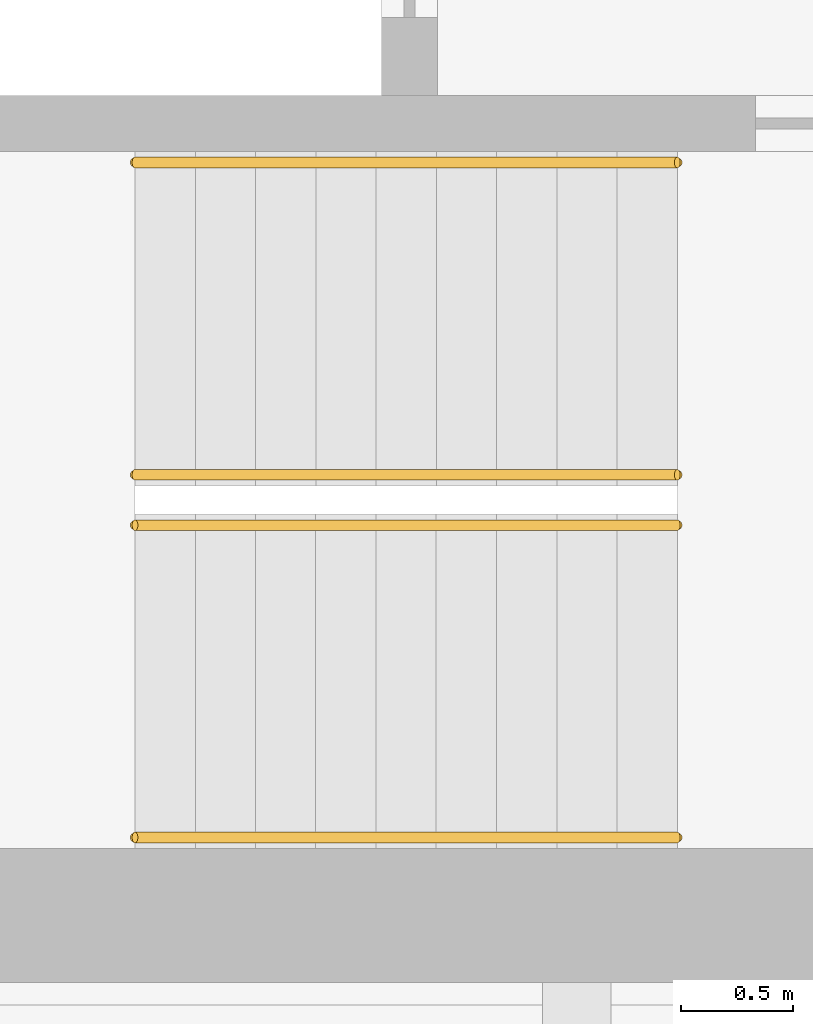
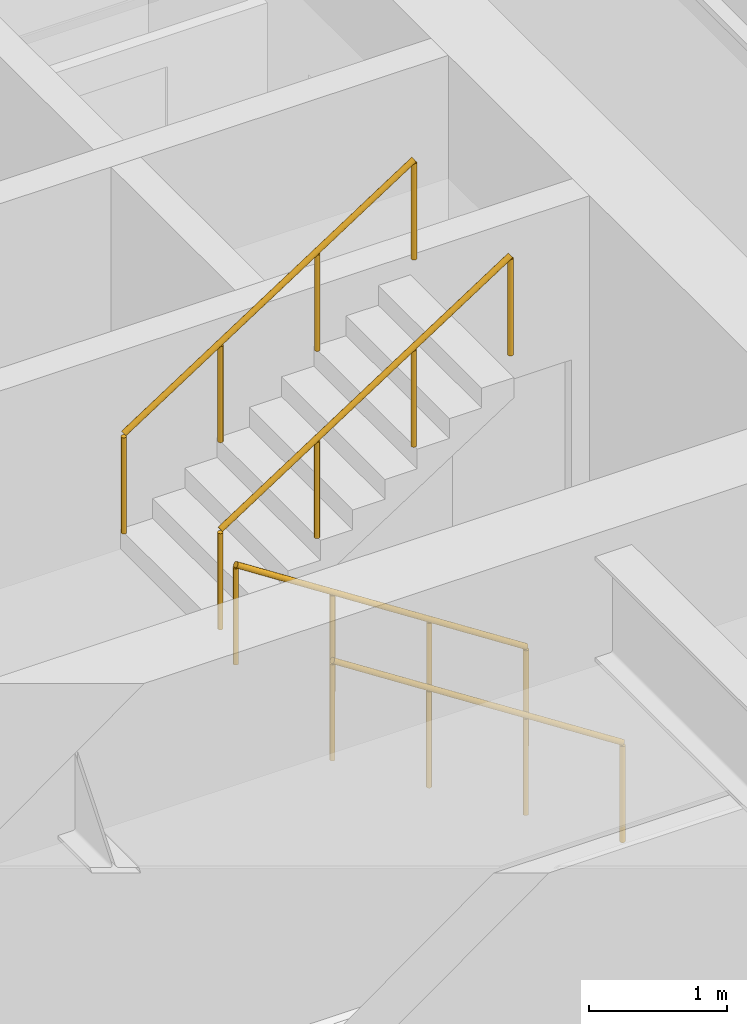
# One storey, part 17 of 21: 4 railings.
"""IFC4 building model written with IfcOpenShell, lengths in metres."""

from ifc_helpers import new_model, si_unit, direction, frame, origin, origin_2d, place, context, subcontext, project, spatial, circle, extrude, material, type_object, element, save


model = new_model("IFC4")

# Units and contexts
model_context = context("Model", 3, precision=1e-05, world=origin(), true_north=direction((0.0, 1.0)))
body_context = subcontext(model_context, "Body", "Model", "MODEL_VIEW")
ifc_project = project(units=[si_unit("LENGTHUNIT", "METRE"), si_unit("AREAUNIT", "SQUARE_METRE"), si_unit("VOLUMEUNIT", "CUBIC_METRE"), si_unit("PLANEANGLEUNIT", "RADIAN"), si_unit("MASSUNIT", "GRAM", prefix="KILO")], contexts=[model_context])

# Site, building, storey
site_placement = place(None, origin())
site = spatial("IfcSite", under=ifc_project, at=site_placement, CompositionType="ELEMENT")
building_placement = place(site_placement, origin())
building = spatial("IfcBuilding", under=site, at=building_placement, Name="Msasa Ring Tower", CompositionType="ELEMENT")
storey_placement = place(building_placement, frame((0.0, 0.0, 96.5)))
storey = spatial("IfcBuildingStorey", under=building, at=storey_placement, Name="L25", CompositionType="ELEMENT", Elevation=96.5)

# Railings
ifc_material = material(Name="Stainless steel", Category="steel")
railing_type = type_object("IfcRailingType", Name="HR1 HANDRAIL 900", PredefinedType="HANDRAIL", material=ifc_material)
for number, where, name in (
    (1, (-10.800048828125, -6.39990234375, 0.175048828125), "Handrail stair SWA L25 1"),
    (2, (-10.800048828125, -5.0, 0.175048828125), "Handrail stair SWA L25 2"),
):
    element("IfcRailing", number, at=place(storey_placement, frame(where)), inside=storey, type_object=railing_type, Name=name, PredefinedType="HANDRAIL", context=body_context, shape_type="SweptSolid", body=[
        extrude(circle(Radius=0.02392578125, at=origin_2d()), frame((0.0, 0.0, 0.8759765625), z_axis=(-0.839153699163, 0.0, 0.543894354798), x_axis=(0.0, -1.0, 0.0)), (0.0, 0.0, 1.0), 2.895751953125),
        extrude(circle(Radius=0.02099609375, at=origin_2d()), origin(), (0.0, 0.0, 1.0), 0.851806640625),
        extrude(circle(Radius=0.02099609375, at=origin_2d()), frame((-0.81005859375, 0.0, 0.52490234375)), (0.0, 0.0, 1.0), 0.851806640625),
        extrude(circle(Radius=0.02099609375, at=origin_2d()), frame((-1.619873046875, 0.0, 1.050048828125)), (0.0, 0.0, 1.0), 0.851806640625),
        extrude(circle(Radius=0.02099609375, at=origin_2d()), frame((-2.429931640625, 0.0, 1.574951171875)), (0.0, 0.0, 1.0), 0.851806640625),
    ])
for number, where, name in (
    (3, (-13.22998046875, -4.77490234375, 1.925048828125), "Handrail stair SWA L25 3"),
    (4, (-13.22998046875, -3.375, 1.925048828125), "Handrail stair SWA L25 4"),
):
    element("IfcRailing", number, at=place(storey_placement, frame(where)), inside=storey, type_object=railing_type, Name=name, PredefinedType="HANDRAIL", context=body_context, shape_type="SweptSolid", body=[
        extrude(circle(Radius=0.02392578125, at=origin_2d()), frame((0.0, 0.0, 0.8759765625), z_axis=(0.839153699163, 0.0, 0.543894354798), x_axis=(0.0, 1.0, 0.0)), (0.0, 0.0, 1.0), 2.895751953125),
        extrude(circle(Radius=0.02099609375, at=origin_2d()), origin(), (0.0, 0.0, 1.0), 0.851806640625),
        extrude(circle(Radius=0.02099609375, at=origin_2d()), frame((0.81005859375, 0.0, 0.52490234375)), (0.0, 0.0, 1.0), 0.851806640625),
        extrude(circle(Radius=0.02099609375, at=origin_2d()), frame((1.619873046875, 0.0, 1.050048828125)), (0.0, 0.0, 1.0), 0.851806640625),
        extrude(circle(Radius=0.02099609375, at=origin_2d()), frame((2.429931640625, 0.0, 1.574951171875)), (0.0, 0.0, 1.0), 0.851806640625),
    ])

save(model, "model.ifc")
